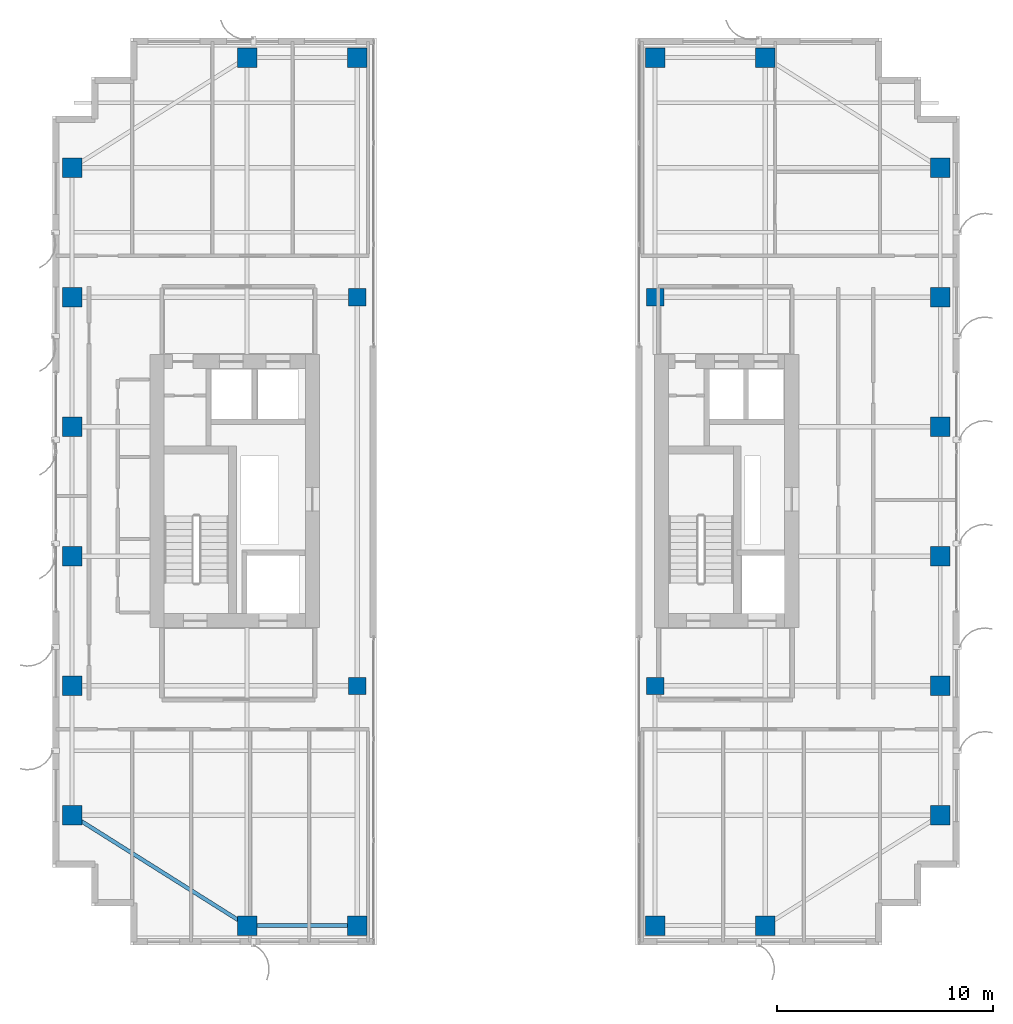
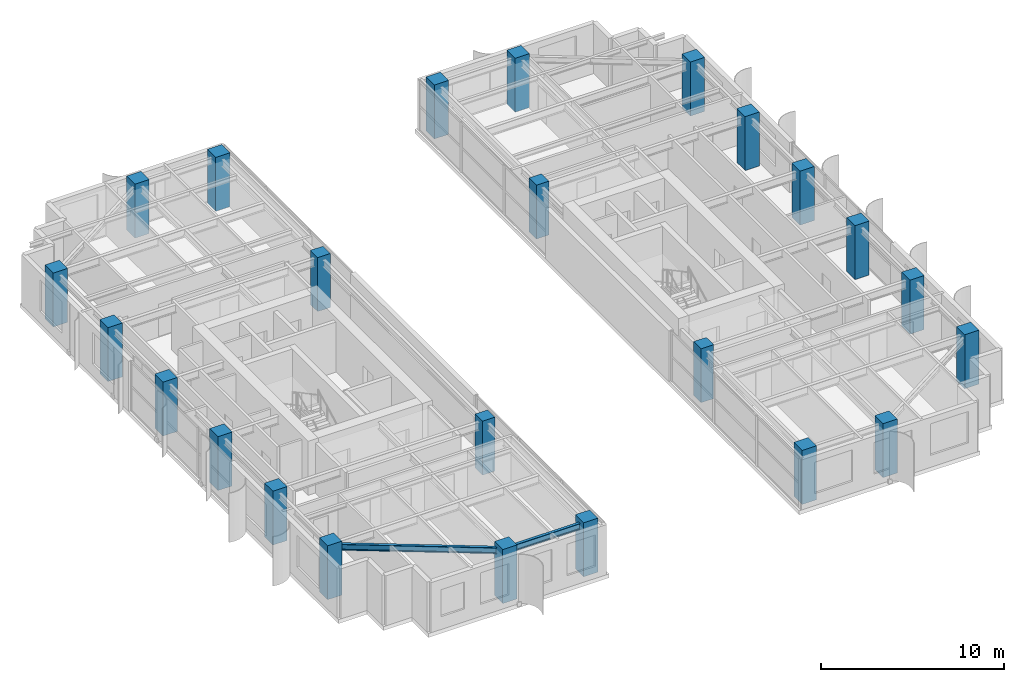
# One storey, part 1 of 22: 24 columns, 2 beams.
"""IFC4 building model written with IfcOpenShell, lengths in metres."""

from ifc_helpers import new_model, si_unit, direction, frame, origin, origin_2d, place, context, subcontext, project, spatial, rectangle, i_section, extrude, source, transform, mapped, material, material_profile, profile_set, type_object, element, save


model = new_model("IFC4")

# Units and contexts
model_context = context("Model", 3, precision=1e-05, world=origin(), true_north=direction((0.0, 1.0)))
body_context = subcontext(model_context, "Body", "Model", "MODEL_VIEW")
ifc_project = project(units=[si_unit("LENGTHUNIT", "METRE"), si_unit("AREAUNIT", "SQUARE_METRE"), si_unit("VOLUMEUNIT", "CUBIC_METRE"), si_unit("PLANEANGLEUNIT", "RADIAN"), si_unit("MASSUNIT", "GRAM", prefix="KILO")], contexts=[model_context])

# Site, building, storey
site_placement = place(None, origin())
site = spatial("IfcSite", under=ifc_project, at=site_placement, CompositionType="ELEMENT")
building_placement = place(site_placement, origin())
building = spatial("IfcBuilding", under=site, at=building_placement, Name="Khoralis Quay Care Tower", CompositionType="ELEMENT")
storey_placement = place(building_placement, frame((0.0, 0.0, 195.300048828125)))
storey = spatial("IfcBuildingStorey", under=building, at=storey_placement, Name="L51", CompositionType="ELEMENT", Elevation=195.300048828125)

# Columns
ifc_material_1 = material(Name="Concrete C65/80", Category="concrete")
ifc_material_profile_1 = material_profile(ifc_material_1, rectangle(XDim=0.89990234375, YDim=0.89990234375, at=origin_2d()), Name="Concrete C65/80")
ifc_profile_set_1 = profile_set([ifc_material_profile_1], Name="Concrete C65/80")
column_type_1 = type_object("IfcColumnType", Name="COL-C900", PredefinedType="COLUMN", material=ifc_profile_set_1)
shared_shape_1 = source(origin(), body_context, "Body", "SweptSolid", [
    extrude(rectangle(XDim=0.89990234375, YDim=0.89990234375, at=origin_2d()), origin(), (0.0, 0.0, 1.0), 3.599853515625),
])
for number, where, z_axis, x_axis, name in (
    (1, (12.0, 0.89990234375, 0.0), (0.0, 0.0, 1.0), (1.0, 0.0, 0.0), "COL-TWR-L51-01"),
    (2, (12.0, 41.10009765625, 0.0), (0.0, 0.0, 1.0), (1.0, 0.0, 0.0), "COL-TWR-L51-02"),
    (3, (17.10009765625, 0.89990234375, 0.0), (0.0, 0.0, 1.0), (1.0, 0.0, 0.0), "COL-TWR-L51-03"),
    (4, (17.10009765625, 41.10009765625, 0.0), (0.0, 0.0, 1.0), (1.0, 0.0, 0.0), "COL-TWR-L51-04"),
    (5, (30.89990234375, 0.89990234375, 0.0), (0.0, 0.0, 1.0), (1.0, 0.0, 0.0), "COL-TWR-L51-05"),
    (6, (30.89990234375, 41.10009765625, 0.0), (0.0, 0.0, 1.0), (1.0, 0.0, 0.0), "COL-TWR-L51-06"),
    (7, (36.0, 0.89990234375, 0.0), (0.0, 0.0, 1.0), (1.0, 0.0, 0.0), "COL-TWR-L51-07"),
    (8, (36.0, 41.10009765625, 0.0), (0.0, 0.0, 1.0), (1.0, 0.0, 0.0), "COL-TWR-L51-08"),
    (9, (3.89990234375, 6.0, 0.0), (0.0, 0.0, 1.0), (1.0, 0.0, 0.0), "COL-TWR-L51-09"),
    (10, (44.10009765625, 6.0, 0.0), (0.0, 0.0, 1.0), (1.0, 0.0, 0.0), "COL-TWR-L51-10"),
    (11, (3.89990234375, 12.0, 0.0), (0.0, 0.0, 1.0), (1.0, 0.0, 0.0), "COL-TWR-L51-11"),
    (12, (44.10009765625, 12.0, 0.0), (0.0, 0.0, 1.0), (1.0, 0.0, 0.0), "COL-TWR-L51-12"),
    (13, (3.89990234375, 18.0, 0.0), (0.0, 0.0, 1.0), (1.0, 0.0, 0.0), "COL-TWR-L51-13"),
    (14, (44.10009765625, 18.0, 0.0), (0.0, 0.0, 1.0), (1.0, 0.0, 0.0), "COL-TWR-L51-14"),
    (15, (3.89990234375, 24.0, 0.0), (0.0, 0.0, 1.0), (1.0, 0.0, 0.0), "COL-TWR-L51-15"),
    (16, (44.10009765625, 24.0, 0.0), (0.0, 0.0, 1.0), (1.0, 0.0, 0.0), "COL-TWR-L51-16"),
    (17, (3.89990234375, 30.0, 0.0), (0.0, 0.0, 1.0), (1.0, 0.0, 0.0), "COL-TWR-L51-17"),
    (18, (44.10009765625, 30.0, 0.0), (0.0, 0.0, 1.0), (1.0, 0.0, 0.0), "COL-TWR-L51-18"),
    (19, (3.89990234375, 36.0, 0.0), (0.0, 0.0, 1.0), (1.0, 0.0, 0.0), "COL-TWR-L51-19"),
    (20, (44.10009765625, 36.0, 0.0), (0.0, 0.0, 1.0), (1.0, 0.0, 0.0), "COL-TWR-L51-20"),
):
    element("IfcColumn", number, at=place(storey_placement, frame(where, z_axis=z_axis, x_axis=x_axis)), inside=storey, type_object=column_type_1, Name=name, PredefinedType="COLUMN", context=body_context, shape_type="MappedRepresentation", body=[
        mapped(shared_shape_1, transform((0.0, 0.0, 0.0), scale=1.0)),
    ])
ifc_material_2 = material(Name="Concrete C50/60", Category="concrete")
ifc_material_profile_2 = material_profile(ifc_material_2, rectangle(XDim=0.800048828125, YDim=0.800048828125, at=origin_2d()), Name="Concrete C50/60")
ifc_profile_set_2 = profile_set([ifc_material_profile_2], Name="Concrete C50/60")
column_type_2 = type_object("IfcColumnType", Name="COL-C800", PredefinedType="COLUMN", material=ifc_profile_set_2)
shared_shape_2 = source(origin(), body_context, "Body", "SweptSolid", [
    extrude(rectangle(XDim=0.800048828125, YDim=0.800048828125, at=origin_2d()), origin(), (0.0, 0.0, 1.0), 3.599853515625),
])
for number, where, z_axis, x_axis, name in (
    (21, (17.10009765625, 12.0, 0.0), (0.0, 0.0, 1.0), (1.0, 0.0, 0.0), "COL-TWR-L51-21"),
    (22, (17.10009765625, 30.0, 0.0), (0.0, 0.0, 1.0), (1.0, 0.0, 0.0), "COL-TWR-L51-22"),
    (23, (30.89990234375, 12.0, 0.0), (0.0, 0.0, 1.0), (1.0, 0.0, 0.0), "COL-TWR-L51-23"),
    (24, (30.89990234375, 30.0, 0.0), (0.0, 0.0, 1.0), (1.0, 0.0, 0.0), "COL-TWR-L51-24"),
):
    element("IfcColumn", number, at=place(storey_placement, frame(where, z_axis=z_axis, x_axis=x_axis)), inside=storey, type_object=column_type_2, Name=name, PredefinedType="COLUMN", context=body_context, shape_type="MappedRepresentation", body=[
        mapped(shared_shape_2, transform((0.0, 0.0, 0.0), scale=1.0)),
    ])

# Beams
ifc_material_3 = material(Name="Steel S355", Category="steel")
ifc_material_profile_3 = material_profile(ifc_material_3, i_section(OverallWidth=0.179931640625, OverallDepth=0.39990234375, WebThickness=0.008544921875, FlangeThickness=0.013427734375, FilletRadius=0.02099609375, at=origin_2d()), Name="Steel S355")
ifc_profile_set_3 = profile_set([ifc_material_profile_3], Name="Steel S355")
beam_type = type_object("IfcBeamType", Name="BM-IPE400", PredefinedType="SPANDREL", material=ifc_profile_set_3)
shared_shape_3 = source(origin(), body_context, "Body", "SweptSolid", [
    extrude(i_section(OverallWidth=0.179931640625, OverallDepth=0.39990234375, WebThickness=0.008544921875, FlangeThickness=0.013427734375, FilletRadius=0.02099609375, at=origin_2d()), origin(), (0.0, 0.0, 1.0), 5.10009765625),
])
beam_1_placement = place(storey_placement, frame((12.0, 0.89990234375, 3.139892578125), z_axis=(1.0, 0.0, 0.0), x_axis=(0.0, 1.0, 0.0)))
element("IfcBeam", 25, at=beam_1_placement, inside=storey, type_object=beam_type, Name="BM-TSP-L51-01", PredefinedType="SPANDREL", context=body_context, shape_type="MappedRepresentation", body=[
    mapped(shared_shape_3, transform((0.0, 0.0, 0.0), scale=1.0)),
])
shared_shape_4 = source(origin(), body_context, "Body", "SweptSolid", [
    extrude(i_section(OverallWidth=0.179931640625, OverallDepth=0.39990234375, WebThickness=0.008544921875, FlangeThickness=0.013427734375, FilletRadius=0.02099609375, at=origin_2d()), origin(), (0.0, 0.0, 1.0), 9.572021484375),
])
beam_2_placement = place(storey_placement, frame((12.0, 0.89990234375, 3.139892578125), z_axis=(-0.846231136359, 0.532815975602, 0.0), x_axis=(-0.532815975602, -0.846231136359, 0.0)))
element("IfcBeam", 26, at=beam_2_placement, inside=storey, type_object=beam_type, Name="BM-TCR-L51-15", PredefinedType="SPANDREL", context=body_context, shape_type="MappedRepresentation", body=[
    mapped(shared_shape_4, transform((0.0, 0.0, 0.0), scale=1.0)),
])

save(model, "model.ifc")
